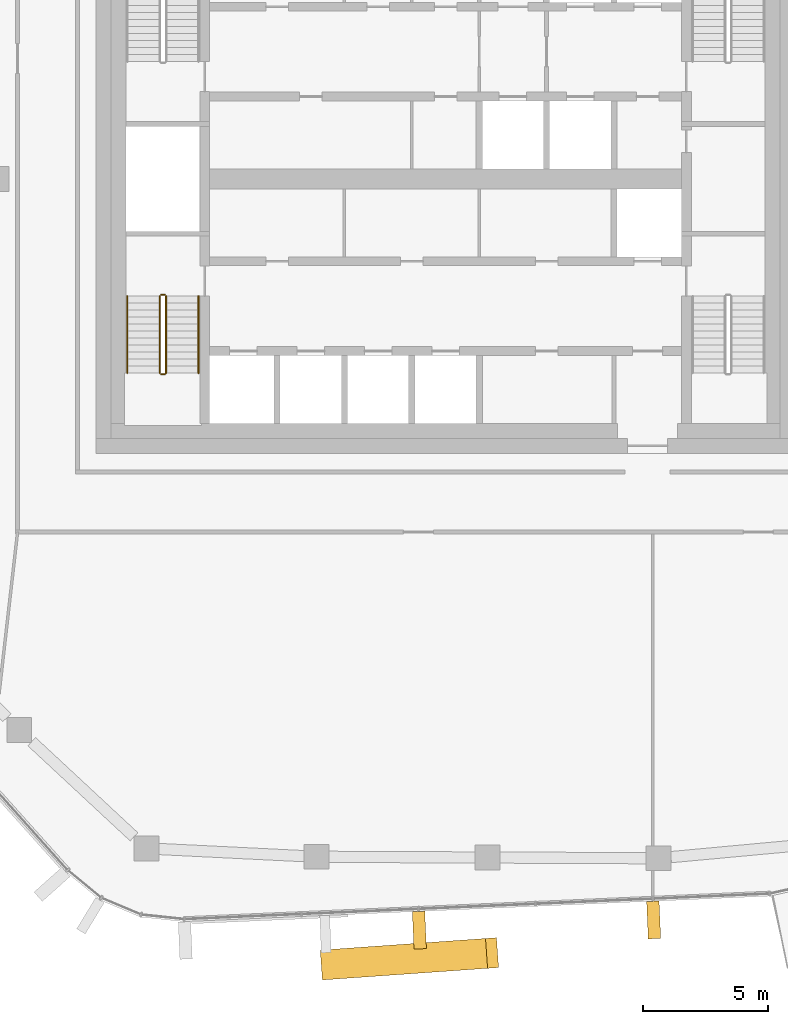
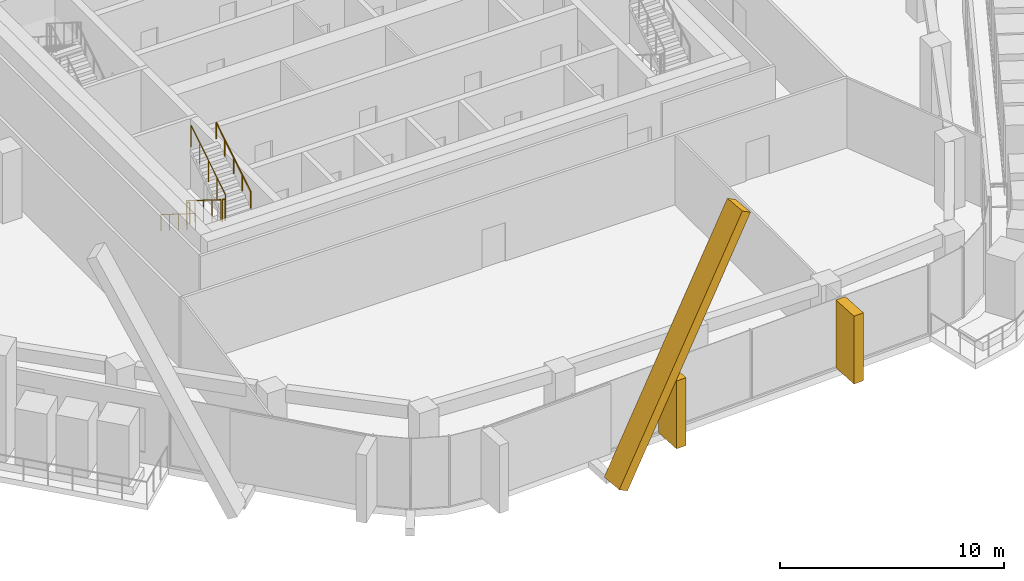
# One storey, part 18 of 23: 6 railings, 3 coverings, 1 element without a shape of its own.
"""IFC4 building model written with IfcOpenShell, lengths in metres."""

from ifc_helpers import new_model, si_unit, direction, frame, origin, origin_2d, place, context, subcontext, project, spatial, rectangle, circle, extrude, material, layer, layer_set, material_profile, profile_set, type_object, element, aggregate, save


model = new_model("IFC4")

# Units and contexts
model_context = context("Model", 3, precision=1e-05, world=origin(), true_north=direction((0.0, 1.0)))
body_context = subcontext(model_context, "Body", "Model", "MODEL_VIEW")
ifc_project = project(units=[si_unit("LENGTHUNIT", "METRE"), si_unit("AREAUNIT", "SQUARE_METRE"), si_unit("VOLUMEUNIT", "CUBIC_METRE"), si_unit("PLANEANGLEUNIT", "RADIAN"), si_unit("MASSUNIT", "GRAM", prefix="KILO")], contexts=[model_context])

# Site, building, storey
site_placement = place(None, origin())
site = spatial("IfcSite", under=ifc_project, at=site_placement, CompositionType="ELEMENT")
building_placement = place(site_placement, origin())
building = spatial("IfcBuilding", under=site, at=building_placement, Name="Dongbaek Canopy Tower", CompositionType="ELEMENT")
storey_placement = place(building_placement, frame((0.0, 0.0, 327.800048828125)))
storey = spatial("IfcBuildingStorey", under=building, at=storey_placement, Name="L70", CompositionType="ELEMENT", Elevation=327.800048828125)

# Curtain wall, coverings
ifc_material_1 = material(Name="Aluminium 6063-T6 pale anodised", Category="aluminium")
ifc_layer = layer(ifc_material_1, 0.199951171875)
ifc_layer_set = layer_set([ifc_layer], Name="CW-1 unitised tower curtain wall")
curtain_wall_type = type_object("IfcCurtainWallType", Name="CW-1 unitised tower curtain wall", PredefinedType="NOTDEFINED", material=ifc_layer_set)
curtain_wall_placement = place(storey_placement, origin())
curtain_wall = element("IfcCurtainWall", 1, at=curtain_wall_placement, inside=storey, type_object=curtain_wall_type, Name="CW-1 curtain wall F4.1", PredefinedType="NOTDEFINED")
ifc_material_2 = material(Name="Aluminium 6063-T6 pale metal fin", Category="aluminium")
ifc_material_profile_1 = material_profile(ifc_material_2, rectangle(XDim=1.199951171875, YDim=0.5, at=origin_2d()), Name="Crease fin CF1 500 x 1200 pale metal")
ifc_profile_set_1 = profile_set([ifc_material_profile_1], Name="Aluminium 6063-T6 pale metal fin")
covering_type_1 = type_object("IfcCoveringType", Name="Crease fin CF1 500 x 1200 pale metal", PredefinedType="CLADDING", material=ifc_profile_set_1)
covering_1_placement = place(storey_placement, frame((-4.75830078125, -31.4912109375, -0.18994140625), z_axis=(0.464976728312, 0.032828138723, 0.884714052921), x_axis=(-0.070426375789, 0.997516980103, 0.0)))
covering_1 = element("IfcCovering", 2, at=covering_1_placement, type_object=covering_type_1, Name="Crease fin L70 L73 F4", PredefinedType="CLADDING", context=body_context, shape_type="SweptSolid", body=[
    extrude(rectangle(XDim=1.199951171875, YDim=0.5, at=origin_2d()), origin(), (0.0, 0.0, 1.0), 14.24169921875),
])
ifc_material_3 = material(Name="Aluminium 6063-T6 pale metal fin", Category="aluminium")
ifc_material_profile_2 = material_profile(ifc_material_3, rectangle(XDim=1.5, YDim=0.5, at=origin_2d()), Name="Fin FN1 500 x 1500 pale metal")
ifc_profile_set_2 = profile_set([ifc_material_profile_2], Name="Aluminium 6063-T6 pale metal fin")
covering_type_2 = type_object("IfcCoveringType", Name="Fin FN1 500 x 1500 pale metal", PredefinedType="CLADDING", material=ifc_profile_set_2)
covering_2_placement = place(storey_placement, frame((-1.048828125, -30.108154296875, 0.119873046875), z_axis=(0.0, 0.0, 1.0), x_axis=(0.04357165489, -0.999050304484, 0.0)))
covering_2 = element("IfcCovering", 3, at=covering_2_placement, type_object=covering_type_2, Name="Fin F4.1.3", PredefinedType="CLADDING", context=body_context, shape_type="SweptSolid", body=[
    extrude(rectangle(XDim=1.5, YDim=0.5, at=origin_2d()), origin(), (0.0, 0.0, 1.0), 3.7001953125),
])
covering_3_placement = place(storey_placement, frame((8.34033203125, -29.69873046875, 0.119873046875), z_axis=(0.0, 0.0, 1.0), x_axis=(0.04357165489, -0.999050304484, 0.0)))
covering_3 = element("IfcCovering", 4, at=covering_3_placement, type_object=covering_type_2, Name="Fin F4.1.5", PredefinedType="CLADDING", context=body_context, shape_type="SweptSolid", body=[
    extrude(rectangle(XDim=1.5, YDim=0.5, at=origin_2d()), origin(), (0.0, 0.0, 1.0), 3.7001953125),
])
aggregate(curtain_wall, [covering_2, covering_3, covering_1])

# Railings
ifc_material_4 = material(Name="Stainless steel tube and balusters", Category="steel")
railing_type_1 = type_object("IfcRailingType", Name="Stair guard 1200", PredefinedType="GUARDRAIL", material=ifc_material_4)
railing_1_placement = place(storey_placement, frame((-11.449951171875, -4.699951171875, 0.175048828125)))
element("IfcRailing", 5, at=railing_1_placement, inside=storey, type_object=railing_type_1, Name="L70 ST-D stair guard 1", PredefinedType="GUARDRAIL", context=body_context, shape_type="SweptSolid", body=[
    extrude(circle(Radius=0.02392578125, at=origin_2d()), frame((0.0, 0.0, 1.17578125), z_axis=(0.0, -0.848028513186, 0.529950602248), x_axis=(1.0, 0.0, 0.0)), (0.0, 0.0, 1.0), 3.632080078125),
    extrude(circle(Radius=0.02099609375, at=origin_2d()), origin(), (0.0, 0.0, 1.0), 1.15185546875),
    extrude(circle(Radius=0.02099609375, at=origin_2d()), frame((0.0, -0.77001953125, 0.481201171875)), (0.0, 0.0, 1.0), 1.15185546875),
    extrude(circle(Radius=0.02099609375, at=origin_2d()), frame((0.0, -1.5400390625, 0.96240234375)), (0.0, 0.0, 1.0), 1.15185546875),
    extrude(circle(Radius=0.02099609375, at=origin_2d()), frame((0.0, -2.31005859375, 1.443603515625)), (0.0, 0.0, 1.0), 1.15185546875),
    extrude(circle(Radius=0.02099609375, at=origin_2d()), frame((0.0, -3.080078125, 1.9248046875)), (0.0, 0.0, 1.0), 1.15185546875),
])
railing_2_placement = place(storey_placement, frame((-11.39990234375, -7.830078125, 2.099853515625)))
element("IfcRailing", 6, at=railing_2_placement, inside=storey, type_object=railing_type_1, Name="L70 ST-D stair guard 2", PredefinedType="GUARDRAIL", context=body_context, shape_type="SweptSolid", body=[
    extrude(circle(Radius=0.02392578125, at=origin_2d()), frame((0.0, 0.0, 1.17578125), z_axis=(1.0, 0.0, 0.0), x_axis=(0.0, 1.0, 0.0)), (0.0, 0.0, 1.0), 0.14990234375),
    extrude(circle(Radius=0.02099609375, at=origin_2d()), origin(), (0.0, 0.0, 1.0), 1.15185546875),
    extrude(circle(Radius=0.02099609375, at=origin_2d()), frame((0.14990234375, 0.0, 0.0)), (0.0, 0.0, 1.0), 1.15185546875),
])
railing_3_placement = place(storey_placement, frame((-11.199951171875, -7.780029296875, 2.27490234375)))
element("IfcRailing", 7, at=railing_3_placement, inside=storey, type_object=railing_type_1, Name="L70 ST-D stair guard 3", PredefinedType="GUARDRAIL", context=body_context, shape_type="SweptSolid", body=[
    extrude(circle(Radius=0.02392578125, at=origin_2d()), frame((0.0, 0.0, 1.17578125), z_axis=(0.0, 0.847998304005, 0.529998940003), x_axis=(-1.0, 0.0, 0.0)), (0.0, 0.0, 1.0), 3.632080078125),
    extrude(circle(Radius=0.02099609375, at=origin_2d()), origin(), (0.0, 0.0, 1.0), 1.15185546875),
    extrude(circle(Radius=0.02099609375, at=origin_2d()), frame((0.0, 0.77001953125, 0.481201171875)), (0.0, 0.0, 1.0), 1.15185546875),
    extrude(circle(Radius=0.02099609375, at=origin_2d()), frame((0.0, 1.5400390625, 0.96240234375)), (0.0, 0.0, 1.0), 1.15185546875),
    extrude(circle(Radius=0.02099609375, at=origin_2d()), frame((0.0, 2.31005859375, 1.44384765625)), (0.0, 0.0, 1.0), 1.15185546875),
    extrude(circle(Radius=0.02099609375, at=origin_2d()), frame((0.0, 3.080078125, 1.925048828125)), (0.0, 0.0, 1.0), 1.15185546875),
])
railing_4_placement = place(storey_placement, frame((-11.39990234375, -4.64990234375, 0.0)))
element("IfcRailing", 8, at=railing_4_placement, inside=storey, type_object=railing_type_1, Name="L70 ST-D stair guard 4", PredefinedType="GUARDRAIL", context=body_context, shape_type="SweptSolid", body=[
    extrude(circle(Radius=0.02392578125, at=origin_2d()), frame((0.0, 0.0, 1.17578125), z_axis=(1.0, 0.0, 0.0), x_axis=(0.0, 1.0, 0.0)), (0.0, 0.0, 1.0), 0.14990234375),
    extrude(circle(Radius=0.02099609375, at=origin_2d()), origin(), (0.0, 0.0, 1.0), 1.15185546875),
    extrude(circle(Radius=0.02099609375, at=origin_2d()), frame((0.14990234375, 0.0, 0.0)), (0.0, 0.0, 1.0), 1.15185546875),
])
ifc_material_5 = material(Name="Stainless steel tube", Category="steel")
railing_type_2 = type_object("IfcRailingType", Name="Stair handrail 900", PredefinedType="HANDRAIL", material=ifc_material_5)
railing_5_placement = place(storey_placement, frame((-12.75, -4.699951171875, 0.175048828125)))
element("IfcRailing", 9, at=railing_5_placement, inside=storey, type_object=railing_type_2, Name="L70 ST-D stair handrail 1", PredefinedType="HANDRAIL", context=body_context, shape_type="SweptSolid", body=[
    extrude(circle(Radius=0.02392578125, at=origin_2d()), frame((0.0, 0.0, 0.8759765625), z_axis=(0.0, -0.848028513186, 0.529950602248), x_axis=(1.0, 0.0, 0.0)), (0.0, 0.0, 1.0), 3.632080078125),
    extrude(circle(Radius=0.02099609375, at=origin_2d()), origin(), (0.0, 0.0, 1.0), 0.851806640625),
    extrude(circle(Radius=0.02099609375, at=origin_2d()), frame((0.0, -0.77001953125, 0.481201171875)), (0.0, 0.0, 1.0), 0.851806640625),
    extrude(circle(Radius=0.02099609375, at=origin_2d()), frame((0.0, -1.5400390625, 0.96240234375)), (0.0, 0.0, 1.0), 0.851806640625),
    extrude(circle(Radius=0.02099609375, at=origin_2d()), frame((0.0, -2.31005859375, 1.443603515625)), (0.0, 0.0, 1.0), 0.851806640625),
    extrude(circle(Radius=0.02099609375, at=origin_2d()), frame((0.0, -3.080078125, 1.9248046875)), (0.0, 0.0, 1.0), 0.851806640625),
])
railing_6_placement = place(storey_placement, frame((-9.89990234375, -7.780029296875, 2.27490234375)))
element("IfcRailing", 10, at=railing_6_placement, inside=storey, type_object=railing_type_2, Name="L70 ST-D stair handrail 2", PredefinedType="HANDRAIL", context=body_context, shape_type="SweptSolid", body=[
    extrude(circle(Radius=0.02392578125, at=origin_2d()), frame((0.0, 0.0, 0.8759765625), z_axis=(0.0, 0.847998304005, 0.529998940003), x_axis=(-1.0, 0.0, 0.0)), (0.0, 0.0, 1.0), 3.632080078125),
    extrude(circle(Radius=0.02099609375, at=origin_2d()), origin(), (0.0, 0.0, 1.0), 0.851806640625),
    extrude(circle(Radius=0.02099609375, at=origin_2d()), frame((0.0, 0.77001953125, 0.481201171875)), (0.0, 0.0, 1.0), 0.851806640625),
    extrude(circle(Radius=0.02099609375, at=origin_2d()), frame((0.0, 1.5400390625, 0.96240234375)), (0.0, 0.0, 1.0), 0.851806640625),
    extrude(circle(Radius=0.02099609375, at=origin_2d()), frame((0.0, 2.31005859375, 1.44384765625)), (0.0, 0.0, 1.0), 0.851806640625),
    extrude(circle(Radius=0.02099609375, at=origin_2d()), frame((0.0, 3.080078125, 1.925048828125)), (0.0, 0.0, 1.0), 0.851806640625),
])

save(model, "model.ifc")
